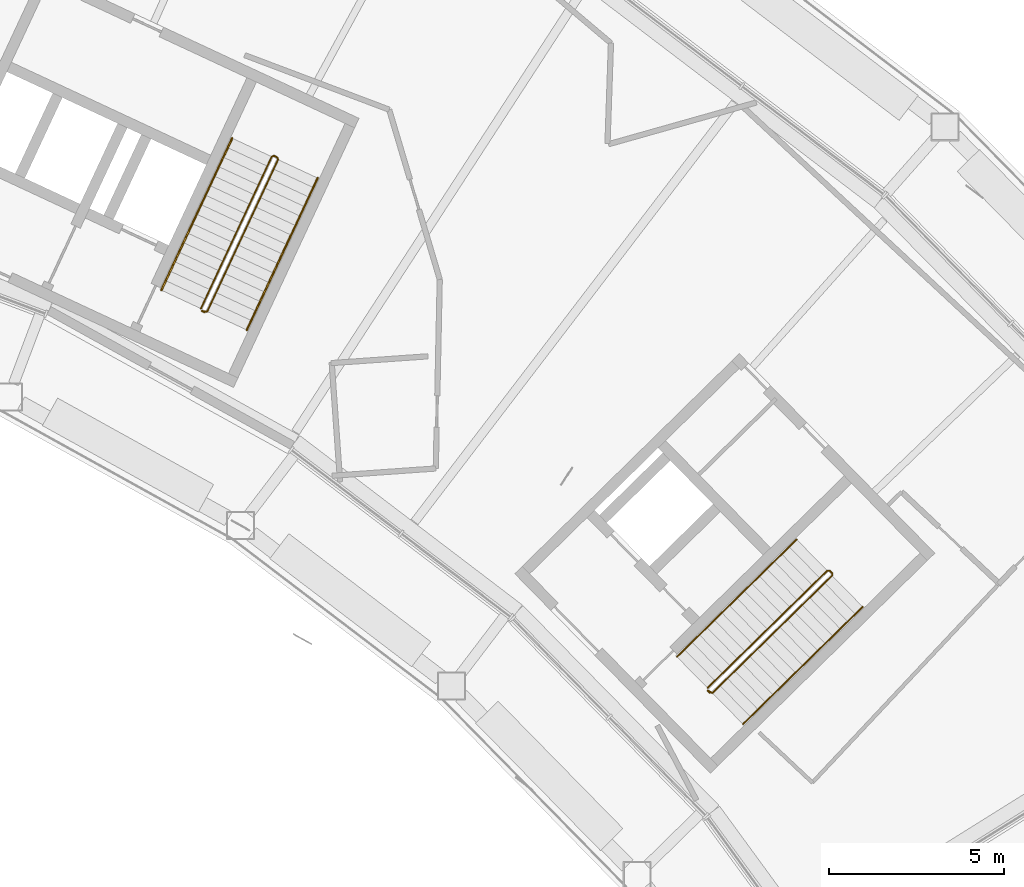
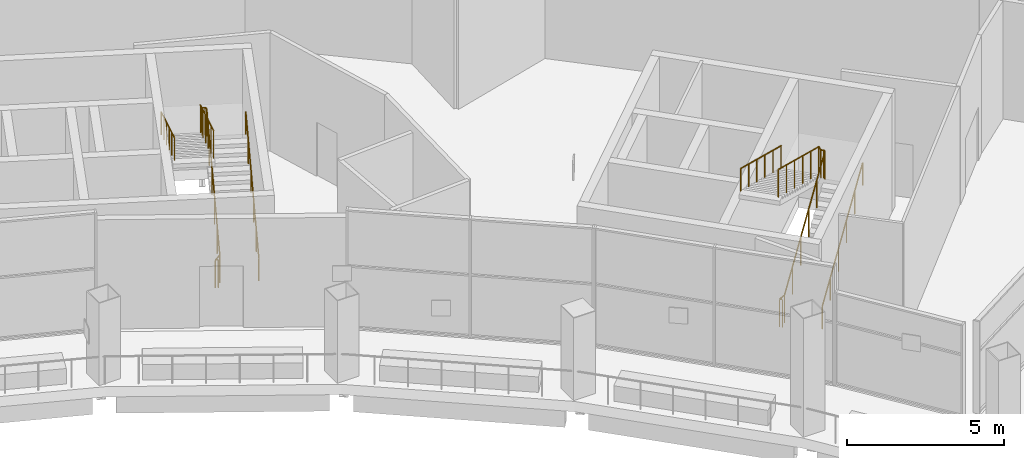
# One storey, part 28 of 29: 6 railings.
"""IFC4 building model written with IfcOpenShell, lengths in metres."""

from ifc_helpers import new_model, si_unit, direction, frame, origin, origin_2d, place, context, subcontext, project, spatial, circle, extrude, material, type_object, element, save


model = new_model("IFC4")

# Units and contexts
model_context = context("Model", 3, precision=1e-05, world=origin(), true_north=direction((0.0, 1.0)))
body_context = subcontext(model_context, "Body", "Model", "MODEL_VIEW")
ifc_project = project(units=[si_unit("LENGTHUNIT", "METRE"), si_unit("AREAUNIT", "SQUARE_METRE"), si_unit("VOLUMEUNIT", "CUBIC_METRE"), si_unit("PLANEANGLEUNIT", "RADIAN"), si_unit("MASSUNIT", "GRAM", prefix="KILO")], contexts=[model_context])

# Site, building, storey
site_placement = place(None, origin())
site = spatial("IfcSite", under=ifc_project, at=site_placement, CompositionType="ELEMENT")
building_placement = place(site_placement, origin())
building = spatial("IfcBuilding", under=site, at=building_placement, Name="Tuul Gate Civic Tower", CompositionType="ELEMENT")
storey_placement = place(building_placement, frame((0.0, 0.0, 238.89990234375)))
storey = spatial("IfcBuildingStorey", under=building, at=storey_placement, Name="Sky garden level 2", CompositionType="ELEMENT", Elevation=238.89990234375)

# Railings
ifc_material_1 = material(Name="Painted steel", Category="steel")
railing_type_1 = type_object("IfcRailingType", Name="Stair guard", PredefinedType="GUARDRAIL", material=ifc_material_1)
railing_1_placement = place(storey_placement, frame((48.10546875, -16.134765625, 0.0)))
element("IfcRailing", 1, at=railing_1_placement, inside=storey, type_object=railing_type_1, Name="Sky garden level 2 ST-3 stair guard 1", PredefinedType="GUARDRAIL", context=body_context, shape_type="SweptSolid", body=[
    extrude(circle(Radius=0.02392578125, at=origin_2d()), frame((0.0, 0.0, 1.076171875), z_axis=(-0.698506948293, 0.715603272202, 0.0), x_axis=(-0.715603272202, -0.698506948293, 0.0)), (0.0, 0.0, 1.0), 0.099853515625),
    extrude(circle(Radius=0.02392578125, at=origin_2d()), frame((-0.06982421875, 0.071533203125, 1.076171875), z_axis=(0.650940547805, -0.334511114844, 0.681453385984), x_axis=(0.457068866502, 0.889431307788, 0.0)), (0.0, 0.0, 1.0), 0.216064453125),
    extrude(circle(Radius=0.02392578125, at=origin_2d()), frame((0.07080078125, -0.000732421875, 1.22314453125), z_axis=(0.641227236389, 0.628576243192, 0.440135817456), x_axis=(-0.700027167466, 0.714116212398, 0.0)), (0.0, 0.0, 1.0), 5.345703125),
    extrude(circle(Radius=0.02392578125, at=origin_2d()), frame((3.49853515625, 3.359375, 3.576171875), z_axis=(0.010344274102, 0.999946496565, 0.0), x_axis=(-0.999946496565, 0.010344274102, 0.0)), (0.0, 0.0, 1.0), 0.07080078125),
    extrude(circle(Radius=0.02392578125, at=origin_2d()), frame((3.499267578125, 3.43017578125, 3.576171875), z_axis=(-0.700974368541, 0.713186465554, 0.0), x_axis=(-0.713186465554, -0.700974368541, 0.0)), (0.0, 0.0, 1.0), 0.099853515625),
    extrude(circle(Radius=0.02392578125, at=origin_2d()), frame((3.42919921875, 3.50146484375, 3.576171875), z_axis=(-0.432191844207, 0.004486420528, 0.901770526149), x_axis=(-0.010380063588, -0.999946125689, 0.0)), (0.0, 0.0, 1.0), 0.163330078125),
    extrude(circle(Radius=0.02392578125, at=origin_2d()), frame((3.358642578125, 3.502197265625, 3.72314453125), z_axis=(-0.641254127823, -0.628557834999, 0.440122927842), x_axis=(0.700001741505, -0.714141135833, 0.0)), (0.0, 0.0, 1.0), 5.345703125),
    extrude(circle(Radius=0.02099609375, at=origin_2d()), origin(), (0.0, 0.0, 1.0), 1.052001953125),
    extrude(circle(Radius=0.02099609375, at=origin_2d()), frame((-0.06982421875, 0.071533203125, 0.0)), (0.0, 0.0, 1.0), 1.052001953125),
    extrude(circle(Radius=0.02099609375, at=origin_2d()), frame((0.07080078125, -0.000732421875, 0.147216796875)), (0.0, 0.0, 1.0), 1.052001953125),
    extrude(circle(Radius=0.02099609375, at=origin_2d()), frame((0.75634765625, 0.67138671875, 0.61767578125)), (0.0, 0.0, 1.0), 1.052001953125),
    extrude(circle(Radius=0.02099609375, at=origin_2d()), frame((1.44189453125, 1.34326171875, 1.08837890625)), (0.0, 0.0, 1.0), 1.052001953125),
    extrude(circle(Radius=0.02099609375, at=origin_2d()), frame((2.12744140625, 2.015380859375, 1.558837890625)), (0.0, 0.0, 1.0), 1.052001953125),
    extrude(circle(Radius=0.02099609375, at=origin_2d()), frame((2.81298828125, 2.687255859375, 2.029541015625)), (0.0, 0.0, 1.0), 1.052001953125),
    extrude(circle(Radius=0.02099609375, at=origin_2d()), frame((3.49853515625, 3.359375, 2.5)), (0.0, 0.0, 1.0), 1.052001953125),
    extrude(circle(Radius=0.02099609375, at=origin_2d()), frame((3.499267578125, 3.43017578125, 2.5)), (0.0, 0.0, 1.0), 1.052001953125),
    extrude(circle(Radius=0.02099609375, at=origin_2d()), frame((3.42919921875, 3.50146484375, 2.5)), (0.0, 0.0, 1.0), 1.052001953125),
    extrude(circle(Radius=0.02099609375, at=origin_2d()), frame((3.358642578125, 3.502197265625, 2.647216796875)), (0.0, 0.0, 1.0), 1.052001953125),
    extrude(circle(Radius=0.02099609375, at=origin_2d()), frame((2.673095703125, 2.830078125, 3.11767578125)), (0.0, 0.0, 1.0), 1.052001953125),
    extrude(circle(Radius=0.02099609375, at=origin_2d()), frame((1.987548828125, 2.158203125, 3.58837890625)), (0.0, 0.0, 1.0), 1.052001953125),
    extrude(circle(Radius=0.02099609375, at=origin_2d()), frame((1.3017578125, 1.486083984375, 4.058837890625)), (0.0, 0.0, 1.0), 1.052001953125),
    extrude(circle(Radius=0.02099609375, at=origin_2d()), frame((0.6162109375, 0.814208984375, 4.529541015625)), (0.0, 0.0, 1.0), 1.052001953125),
    extrude(circle(Radius=0.02099609375, at=origin_2d()), frame((-0.0693359375, 0.14208984375, 5.0)), (0.0, 0.0, 1.0), 1.052001953125),
])
railing_2_placement = place(storey_placement, frame((33.645751953125, -5.238525390625, 0.0)))
element("IfcRailing", 2, at=railing_2_placement, inside=storey, type_object=railing_type_1, Name="Sky garden level 2 ST-4 stair guard 1", PredefinedType="GUARDRAIL", context=body_context, shape_type="SweptSolid", body=[
    extrude(circle(Radius=0.02392578125, at=origin_2d()), frame((0.0, 0.0, 1.076171875), z_axis=(-0.906307919131, 0.422617978463, 0.0), x_axis=(-0.422617978463, -0.906307919131, 0.0)), (0.0, 0.0, 1.0), 0.099853515625),
    extrude(circle(Radius=0.02392578125, at=origin_2d()), frame((-0.090576171875, 0.042236328125, 1.076171875), z_axis=(0.726874385414, -0.083652728648, 0.681656694253), x_axis=(0.114330889033, 0.993442724979, 0.0)), (0.0, 0.0, 1.0), 0.216064453125),
    extrude(circle(Radius=0.02392578125, at=origin_2d()), frame((0.06640625, 0.024169921875, 1.22314453125), z_axis=(0.379439301438, 0.813821486798, 0.440136801632), x_axis=(-0.90632992014, 0.422570793901, 0.0)), (0.0, 0.0, 1.0), 5.345458984375),
    extrude(circle(Radius=0.02392578125, at=origin_2d()), frame((2.0947265625, 4.37451171875, 3.576171875), z_axis=(-0.342020437038, 0.939692513883, 0.0), x_axis=(-0.939692513883, -0.342020437038, 0.0)), (0.0, 0.0, 1.0), 0.070556640625),
    extrude(circle(Radius=0.02392578125, at=origin_2d()), frame((2.070556640625, 4.44091796875, 3.576171875), z_axis=(-0.906307919131, 0.422617978463, 0.0), x_axis=(-0.422617978463, -0.906307919131, 0.0)), (0.0, 0.0, 1.0), 0.099853515625),
    extrude(circle(Radius=0.02392578125, at=origin_2d()), frame((1.97998046875, 4.483154296875, 3.576171875), z_axis=(-0.406652855547, -0.148009679041, 0.901513499614), x_axis=(0.342020437038, -0.939692513883, 0.0)), (0.0, 0.0, 1.0), 0.163330078125),
    extrude(circle(Radius=0.02392578125, at=origin_2d()), frame((1.91357421875, 4.458984375, 3.72314453125), z_axis=(-0.379439301438, -0.813821486798, 0.440136801632), x_axis=(0.90632992014, -0.422570793901, 0.0)), (0.0, 0.0, 1.0), 5.345458984375),
    extrude(circle(Radius=0.02099609375, at=origin_2d()), origin(), (0.0, 0.0, 1.0), 1.052001953125),
    extrude(circle(Radius=0.02099609375, at=origin_2d()), frame((-0.090576171875, 0.042236328125, 0.0)), (0.0, 0.0, 1.0), 1.052001953125),
    extrude(circle(Radius=0.02099609375, at=origin_2d()), frame((0.06640625, 0.024169921875, 0.147216796875)), (0.0, 0.0, 1.0), 1.052001953125),
    extrude(circle(Radius=0.02099609375, at=origin_2d()), frame((0.47216796875, 0.894287109375, 0.61767578125)), (0.0, 0.0, 1.0), 1.052001953125),
    extrude(circle(Radius=0.02099609375, at=origin_2d()), frame((0.877685546875, 1.764404296875, 1.08837890625)), (0.0, 0.0, 1.0), 1.052001953125),
    extrude(circle(Radius=0.02099609375, at=origin_2d()), frame((1.283447265625, 2.63427734375, 1.558837890625)), (0.0, 0.0, 1.0), 1.052001953125),
    extrude(circle(Radius=0.02099609375, at=origin_2d()), frame((1.68896484375, 3.50439453125, 2.029541015625)), (0.0, 0.0, 1.0), 1.052001953125),
    extrude(circle(Radius=0.02099609375, at=origin_2d()), frame((2.0947265625, 4.37451171875, 2.5)), (0.0, 0.0, 1.0), 1.052001953125),
    extrude(circle(Radius=0.02099609375, at=origin_2d()), frame((2.070556640625, 4.44091796875, 2.5)), (0.0, 0.0, 1.0), 1.052001953125),
    extrude(circle(Radius=0.02099609375, at=origin_2d()), frame((1.97998046875, 4.483154296875, 2.5)), (0.0, 0.0, 1.0), 1.052001953125),
    extrude(circle(Radius=0.02099609375, at=origin_2d()), frame((1.91357421875, 4.458984375, 2.647216796875)), (0.0, 0.0, 1.0), 1.052001953125),
    extrude(circle(Radius=0.02099609375, at=origin_2d()), frame((1.5078125, 3.5888671875, 3.11767578125)), (0.0, 0.0, 1.0), 1.052001953125),
    extrude(circle(Radius=0.02099609375, at=origin_2d()), frame((1.102294921875, 2.71875, 3.58837890625)), (0.0, 0.0, 1.0), 1.052001953125),
    extrude(circle(Radius=0.02099609375, at=origin_2d()), frame((0.696533203125, 1.848876953125, 4.058837890625)), (0.0, 0.0, 1.0), 1.052001953125),
    extrude(circle(Radius=0.02099609375, at=origin_2d()), frame((0.291015625, 0.978759765625, 4.529541015625)), (0.0, 0.0, 1.0), 1.052001953125),
    extrude(circle(Radius=0.02099609375, at=origin_2d()), frame((-0.11474609375, 0.108642578125, 5.0)), (0.0, 0.0, 1.0), 1.052001953125),
])
ifc_material_2 = material(Name="Painted steel", Category="steel")
railing_type_2 = type_object("IfcRailingType", Name="Stair handrail", PredefinedType="HANDRAIL", material=ifc_material_2)
railing_3_placement = place(storey_placement, frame((49.05126953125, -17.028076171875, 0.147216796875)))
element("IfcRailing", 3, at=railing_3_placement, inside=storey, type_object=railing_type_2, Name="Sky garden level 2 ST-3 stair handrail 1", PredefinedType="HANDRAIL", context=body_context, shape_type="SweptSolid", body=[
    extrude(circle(Radius=0.02392578125, at=origin_2d()), frame((0.0, 0.0, 0.8759765625), z_axis=(0.641227236389, 0.628576243192, 0.440135817456), x_axis=(-0.700027167466, 0.714116212398, 0.0)), (0.0, 0.0, 1.0), 5.345703125),
    extrude(circle(Radius=0.02099609375, at=origin_2d()), origin(), (0.0, 0.0, 1.0), 0.851806640625),
    extrude(circle(Radius=0.02099609375, at=origin_2d()), frame((0.685546875, 0.672119140625, 0.470458984375)), (0.0, 0.0, 1.0), 0.851806640625),
    extrude(circle(Radius=0.02099609375, at=origin_2d()), frame((1.37109375, 1.343994140625, 0.941162109375)), (0.0, 0.0, 1.0), 0.851806640625),
    extrude(circle(Radius=0.02099609375, at=origin_2d()), frame((2.056640625, 2.01611328125, 1.41162109375)), (0.0, 0.0, 1.0), 0.851806640625),
    extrude(circle(Radius=0.02099609375, at=origin_2d()), frame((2.7421875, 2.68798828125, 1.88232421875)), (0.0, 0.0, 1.0), 0.851806640625),
    extrude(circle(Radius=0.02099609375, at=origin_2d()), frame((3.427734375, 3.360107421875, 2.352783203125)), (0.0, 0.0, 1.0), 0.851806640625),
])
railing_4_placement = place(storey_placement, frame((50.589111328125, -11.73974609375, 2.647216796875)))
element("IfcRailing", 4, at=railing_4_placement, inside=storey, type_object=railing_type_2, Name="Sky garden level 2 ST-3 stair handrail 2", PredefinedType="HANDRAIL", context=body_context, shape_type="SweptSolid", body=[
    extrude(circle(Radius=0.02392578125, at=origin_2d()), frame((0.0, 0.0, 0.8759765625), z_axis=(-0.641254127823, -0.628557834999, 0.440122927842), x_axis=(0.700001741505, -0.714141135833, 0.0)), (0.0, 0.0, 1.0), 5.345703125),
    extrude(circle(Radius=0.02099609375, at=origin_2d()), origin(), (0.0, 0.0, 1.0), 0.851806640625),
    extrude(circle(Radius=0.02099609375, at=origin_2d()), frame((-0.685546875, -0.672119140625, 0.470458984375)), (0.0, 0.0, 1.0), 0.851806640625),
    extrude(circle(Radius=0.02099609375, at=origin_2d()), frame((-1.37109375, -1.343994140625, 0.941162109375)), (0.0, 0.0, 1.0), 0.851806640625),
    extrude(circle(Radius=0.02099609375, at=origin_2d()), frame((-2.056884765625, -2.01611328125, 1.41162109375)), (0.0, 0.0, 1.0), 0.851806640625),
    extrude(circle(Radius=0.02099609375, at=origin_2d()), frame((-2.742431640625, -2.68798828125, 1.88232421875)), (0.0, 0.0, 1.0), 0.851806640625),
    extrude(circle(Radius=0.02099609375, at=origin_2d()), frame((-3.427978515625, -3.360107421875, 2.352783203125)), (0.0, 0.0, 1.0), 0.851806640625),
])
railing_5_placement = place(storey_placement, frame((34.844970703125, -5.74267578125, 0.147216796875)))
element("IfcRailing", 5, at=railing_5_placement, inside=storey, type_object=railing_type_2, Name="Sky garden level 2 ST-4 stair handrail 1", PredefinedType="HANDRAIL", context=body_context, shape_type="SweptSolid", body=[
    extrude(circle(Radius=0.02392578125, at=origin_2d()), frame((0.0, 0.0, 0.8759765625), z_axis=(0.379478396454, 0.813807383128, 0.440129173983), x_axis=(-0.906310439604, 0.422612573246, 0.0)), (0.0, 0.0, 1.0), 5.345703125),
    extrude(circle(Radius=0.02099609375, at=origin_2d()), origin(), (0.0, 0.0, 1.0), 0.851806640625),
    extrude(circle(Radius=0.02099609375, at=origin_2d()), frame((0.40576171875, 0.8701171875, 0.470458984375)), (0.0, 0.0, 1.0), 0.851806640625),
    extrude(circle(Radius=0.02099609375, at=origin_2d()), frame((0.8115234375, 1.740234375, 0.941162109375)), (0.0, 0.0, 1.0), 0.851806640625),
    extrude(circle(Radius=0.02099609375, at=origin_2d()), frame((1.217041015625, 2.610107421875, 1.41162109375)), (0.0, 0.0, 1.0), 0.851806640625),
    extrude(circle(Radius=0.02099609375, at=origin_2d()), frame((1.622802734375, 3.480224609375, 1.88232421875)), (0.0, 0.0, 1.0), 0.851806640625),
    extrude(circle(Radius=0.02099609375, at=origin_2d()), frame((2.028564453125, 4.350341796875, 2.352783203125)), (0.0, 0.0, 1.0), 0.851806640625),
])
railing_6_placement = place(storey_placement, frame((34.42626953125, -0.251220703125, 2.647216796875)))
element("IfcRailing", 6, at=railing_6_placement, inside=storey, type_object=railing_type_2, Name="Sky garden level 2 ST-4 stair handrail 2", PredefinedType="HANDRAIL", context=body_context, shape_type="SweptSolid", body=[
    extrude(circle(Radius=0.02392578125, at=origin_2d()), frame((0.0, 0.0, 0.8759765625), z_axis=(-0.379439301438, -0.813821486798, 0.440136801632), x_axis=(0.90632992014, -0.422570793901, 0.0)), (0.0, 0.0, 1.0), 5.345458984375),
    extrude(circle(Radius=0.02099609375, at=origin_2d()), origin(), (0.0, 0.0, 1.0), 0.851806640625),
    extrude(circle(Radius=0.02099609375, at=origin_2d()), frame((-0.40576171875, -0.8701171875, 0.470458984375)), (0.0, 0.0, 1.0), 0.851806640625),
    extrude(circle(Radius=0.02099609375, at=origin_2d()), frame((-0.811279296875, -1.740234375, 0.941162109375)), (0.0, 0.0, 1.0), 0.851806640625),
    extrude(circle(Radius=0.02099609375, at=origin_2d()), frame((-1.217041015625, -2.610107421875, 1.41162109375)), (0.0, 0.0, 1.0), 0.851806640625),
    extrude(circle(Radius=0.02099609375, at=origin_2d()), frame((-1.62255859375, -3.480224609375, 1.88232421875)), (0.0, 0.0, 1.0), 0.851806640625),
    extrude(circle(Radius=0.02099609375, at=origin_2d()), frame((-2.0283203125, -4.350341796875, 2.352783203125)), (0.0, 0.0, 1.0), 0.851806640625),
])

save(model, "model.ifc")
